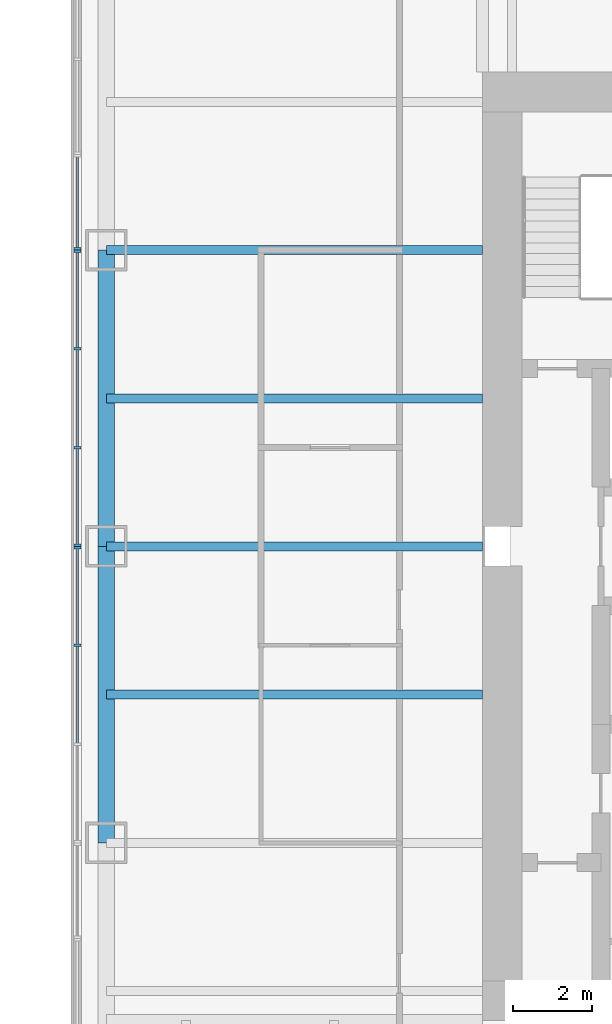
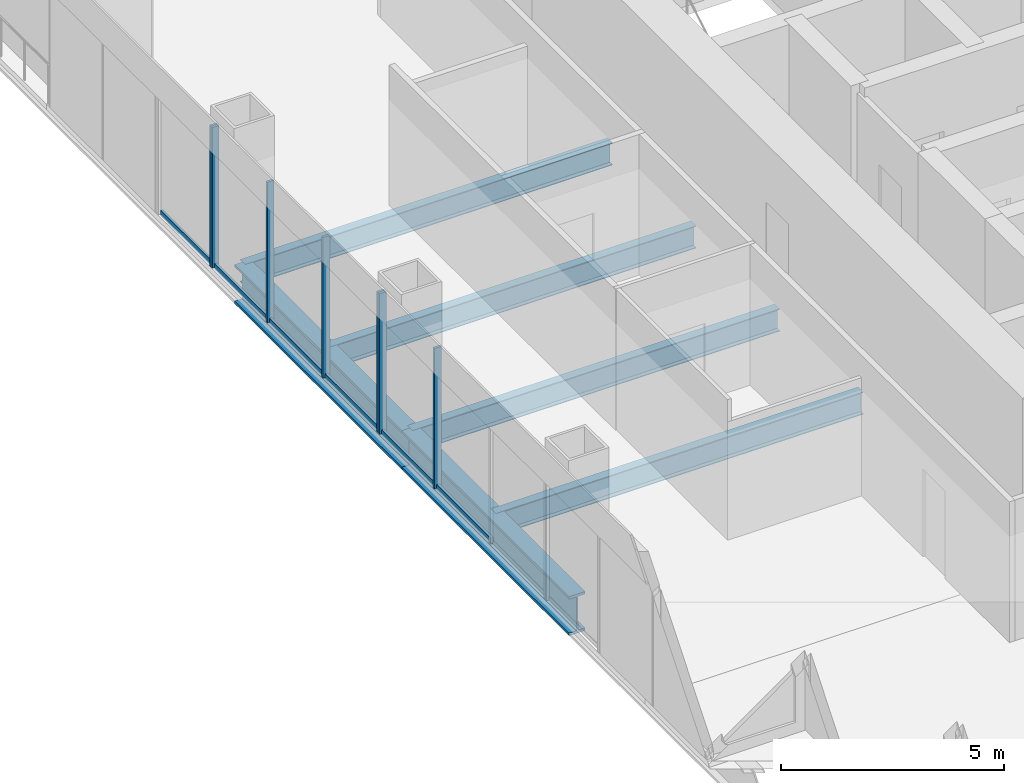
# One storey, part 3 of 13: 13 members, 6 beams, 3 elements without a shape of their own.
"""IFC4 building model written with IfcOpenShell, lengths in metres."""

import ifcopenshell
import ifcopenshell.guid

model = None  # the IFC model being written
_history = None  # IfcOwnerHistory: only IFC2X3 demands one
_inside = {}  # id of a spatial element -> (the spatial element, [elements in it])
_under = {}  # id of a project, library or spatial element -> (it, [spatial elements below it])
_declared = {}  # id of a project -> (the project, [libraries it declares])
_typed = {}  # id of a type object -> (the type object, [elements of that type])
_made_of = {}  # id of a material, layer set ... -> (it, [elements and type objects made of it])


def new_model(schema):
    """Start an empty IFC model of exactly this schema.

    Asked for "IFC4X3", IfcOpenShell would pick the latest addendum, in which some entities
    have other attributes; the version numbers below select the first issue.
    IFC2X3 requires an IfcOwnerHistory on every rooted entity: one is made here for all.
    """
    global model, _history
    if schema == "IFC4X3":
        model = ifcopenshell.file(schema_version=(4, 3, 0, 0))
    else:
        model = ifcopenshell.file(schema=schema)
    _inside.clear()
    _under.clear()
    _declared.clear()
    _typed.clear()
    _made_of.clear()
    _history = None
    if model.schema == "IFC2X3":
        org = make("IfcOrganization", Name="unknown")
        user = make(
            "IfcPersonAndOrganization",
            ThePerson=make("IfcPerson", FamilyName="unknown"),
            TheOrganization=org,
        )
        app = make(
            "IfcApplication",
            ApplicationDeveloper=org,
            Version="unknown",
            ApplicationFullName="unknown",
            ApplicationIdentifier="unknown",
        )
        _history = make(
            "IfcOwnerHistory",
            OwningUser=user,
            OwningApplication=app,
            ChangeAction="ADDED",
            CreationDate=0,
        )
    return model


def make(cls, **values):
    """One entity of the class cls with the attributes given. An attribute that is None is left unset."""
    return model.create_entity(
        cls, **{name: value for name, value in values.items() if value is not None}
    )


def rooted(cls, **values):
    """An entity with a GlobalId (a new one), such as an element, a storey or a relation."""
    return make(cls, GlobalId=ifcopenshell.guid.new(), OwnerHistory=_history, **values)


def si_unit(unit_type, name, prefix=None):
    """IfcSIUnit, for example si_unit("LENGTHUNIT", "METRE", prefix="MILLI")."""
    return make("IfcSIUnit", UnitType=unit_type, Prefix=prefix, Name=name)


def assignment(units):
    """IfcUnitAssignment: the units of a project."""
    return None if units is None else make("IfcUnitAssignment", Units=units)


def point(xyz):
    """IfcCartesianPoint."""
    return None if xyz is None else make("IfcCartesianPoint", Coordinates=xyz)


def direction(xyz):
    """IfcDirection."""
    return None if xyz is None else make("IfcDirection", DirectionRatios=xyz)


def frame(location, z_axis=None, x_axis=None):
    """IfcAxis2Placement3D, a coordinate frame: its origin and axes. An axis left out is left unset."""
    return make(
        "IfcAxis2Placement3D",
        Location=point(location),
        Axis=direction(z_axis),
        RefDirection=direction(x_axis),
    )


def frame_2d(location, x_axis=None):
    """IfcAxis2Placement2D, a coordinate frame in the plane: its origin and x axis."""
    return make(
        "IfcAxis2Placement2D", Location=point(location), RefDirection=direction(x_axis)
    )


def origin():
    """The frame at (0, 0, 0) with its axes left unset."""
    return frame((0.0, 0.0, 0.0))


def origin_2d():
    """The frame at (0, 0) in the plane with its x axis left unset."""
    return frame_2d((0.0, 0.0))


def place(relative_to, where):
    """IfcLocalPlacement: puts the frame where relative to a parent placement (None: the world)."""
    return make(
        "IfcLocalPlacement", PlacementRelTo=relative_to, RelativePlacement=where
    )


def context(
    kind, dimensions, precision=None, world=None, true_north=None, identifier=None
):
    """IfcGeometricRepresentationContext, for example the 3D "Model" context."""
    return make(
        "IfcGeometricRepresentationContext",
        ContextIdentifier=identifier,
        ContextType=kind,
        CoordinateSpaceDimension=dimensions,
        Precision=precision,
        WorldCoordinateSystem=world,
        TrueNorth=true_north,
    )


def subcontext(parent, identifier, kind, view, scale=None):
    """IfcGeometricRepresentationSubContext, for example "Body" below "Model"."""
    return make(
        "IfcGeometricRepresentationSubContext",
        ContextIdentifier=identifier,
        ContextType=kind,
        ParentContext=parent,
        TargetScale=scale,
        TargetView=view,
    )


def project(units=None, contexts=None):
    """IfcProject with its units and contexts."""
    return rooted(
        "IfcProject",
        Name="project",
        RepresentationContexts=contexts,
        UnitsInContext=assignment(units),
    )


def spatial(cls, under=None, at=None, **own):
    """A site, building, storey or space (cls), placed at a placement, below another one or the project."""
    s = rooted(cls, ObjectPlacement=at, **own)
    if under is not None:
        _under.setdefault(under.id(), (under, []))[1].append(s)
    return s


def profile(cls, at=None, kind="AREA", **sizes):
    """A parametric profile (cls). Its sizes go by their IFC names, for example OverallWidth=200.0."""
    return make(cls, ProfileType=kind, Position=at, **sizes)


def rectangle(**sizes):
    """IfcRectangleProfileDef."""
    return profile("IfcRectangleProfileDef", **sizes)


def i_section(**sizes):
    """IfcIShapeProfileDef."""
    return profile("IfcIShapeProfileDef", **sizes)


def extrude(swept, where, along, depth):
    """IfcExtrudedAreaSolid: the profile swept, set in the frame where, extruded along a direction by depth."""
    return make(
        "IfcExtrudedAreaSolid",
        SweptArea=swept,
        Position=where,
        ExtrudedDirection=direction(along),
        Depth=depth,
    )


def shape(context_of_items, identifier, shape_type, items):
    """IfcShapeRepresentation: the items that make up one representation, for example the "Body"."""
    return make(
        "IfcShapeRepresentation",
        ContextOfItems=context_of_items,
        RepresentationIdentifier=identifier,
        RepresentationType=shape_type,
        Items=items,
    )


def material(Name=None, Category=None):
    """IfcMaterial."""
    return make("IfcMaterial", Name=Name, Category=Category)


def material_profile(
    of_material, cross_section, Name=None, Category=None, Priority=None
):
    """IfcMaterialProfile: a cross section and its material."""
    return make(
        "IfcMaterialProfile",
        Name=Name,
        Material=of_material,
        Profile=cross_section,
        Priority=Priority,
        Category=Category,
    )


def profile_set(profiles, Name=None, composite=None):
    """IfcMaterialProfileSet."""
    return make(
        "IfcMaterialProfileSet",
        Name=Name,
        MaterialProfiles=profiles,
        CompositeProfile=composite,
    )


def made_of(thing, what):
    """Note that an element or type object is made of a material, layer set ...; save() writes the relation."""
    if what is not None:
        _made_of.setdefault(what.id(), (what, []))[1].append(thing)
    return thing


def type_object(cls, material=None, **own):
    """A type object (cls), such as IfcWallType, which elements share."""
    return made_of(rooted(cls, **own), material)


def element(
    cls,
    number,
    at=None,
    inside=None,
    cuts=None,
    type_object=None,
    material=None,
    context=None,
    identifier="Body",
    shape_type=None,
    held_by="IfcProductDefinitionShape",
    body=None,
    shapes=None,
    **own,
):
    """One element of the class cls, such as IfcWall. Its Tag is "e" and its number.

    at: its placement. inside: the storey or other place that contains it. cuts: it is an
    opening in that element (IfcRelVoidsElement). A single representation is given by context,
    identifier, shape_type and body (its items); several are given by shapes. held_by: the class
    of the entity that holds the representations. save() writes the other relations.
    """
    e = rooted(cls, Tag="e%d" % number, ObjectPlacement=at, **own)
    if body is not None:
        shapes = [shape(context, identifier, shape_type, body)]
    if shapes is not None:
        e.Representation = make(held_by, Representations=shapes)
    if inside is not None:
        _inside.setdefault(inside.id(), (inside, []))[1].append(e)
    if cuts is not None:
        rooted(
            "IfcRelVoidsElement", RelatingBuildingElement=cuts, RelatedOpeningElement=e
        )
    if type_object is not None:
        _typed.setdefault(type_object.id(), (type_object, []))[1].append(e)
    return made_of(e, material)


def aggregate(whole, parts):
    """IfcRelAggregates: a whole, such as a stair, and the parts it consists of."""
    return rooted("IfcRelAggregates", RelatingObject=whole, RelatedObjects=parts)


def save(model, path):
    """Write the relations noted so far, then the file.

    IfcRelAggregates (storeys below a building ...), IfcRelContainedInSpatialStructure (elements
    in a storey), IfcRelDefinesByType, IfcRelAssociatesMaterial and IfcRelDeclares: one each for
    every whole, place, type object, material and project.
    """
    for whole, parts in _under.values():
        aggregate(whole, parts)
    for where, things in _inside.values():
        rooted(
            "IfcRelContainedInSpatialStructure",
            RelatedElements=things,
            RelatingStructure=where,
        )
    for kind, things in _typed.values():
        rooted("IfcRelDefinesByType", RelatedObjects=things, RelatingType=kind)
    for what, things in _made_of.values():
        rooted("IfcRelAssociatesMaterial", RelatedObjects=things, RelatingMaterial=what)
    for by, libraries in _declared.values():
        rooted("IfcRelDeclares", RelatingContext=by, RelatedDefinitions=libraries)
    model.write(path)


model = new_model("IFC4")

# Units and contexts
model_context = context("Model", 3, precision=1e-05, world=origin(), true_north=direction((0.0, 1.0)))
body_context = subcontext(model_context, "Body", "Model", "MODEL_VIEW")
ifc_project = project(units=[si_unit("LENGTHUNIT", "METRE"), si_unit("AREAUNIT", "SQUARE_METRE"), si_unit("VOLUMEUNIT", "CUBIC_METRE"), si_unit("PLANEANGLEUNIT", "RADIAN"), si_unit("MASSUNIT", "GRAM", prefix="KILO")], contexts=[model_context])

# Site, building, storey
site_placement = place(None, origin())
site = spatial("IfcSite", under=ifc_project, at=site_placement, CompositionType="ELEMENT")
building_placement = place(site_placement, origin())
building = spatial("IfcBuilding", under=site, at=building_placement, Name="Tarangal Relay Tower", CompositionType="ELEMENT")
storey_placement = place(building_placement, frame((0.0, 0.0, 205.89990234375)))
storey = spatial("IfcBuildingStorey", under=building, at=storey_placement, Name="L43", CompositionType="ELEMENT", Elevation=205.89990234375)

# Beams
ifc_material_1 = material(Name="Steel ASTM A992", Category="steel")
ifc_material_profile_1 = material_profile(ifc_material_1, i_section(OverallWidth=0.41650390625, OverallDepth=1.0693359375, WebThickness=0.0390625, FlangeThickness=0.070068359375, at=origin_2d()), Name="W40X503")
ifc_profile_set_1 = profile_set([ifc_material_profile_1], Name="Steel ASTM A992")
beam_type_1 = type_object("IfcBeamType", Name="Edge girder W40X503", PredefinedType="SPANDREL", material=ifc_profile_set_1)
for number, where, z_axis, x_axis, name in (
    (1, (-21.514892578125, -7.5, -0.6845703125), (0.0, 1.0, 0.0), (-1.0, 0.0, 0.0), "Edge girder EG8 W L43"),
    (2, (-21.514892578125, 0.0, -0.6845703125), (0.0, 1.0, 0.0), (-1.0, 0.0, 0.0), "Edge girder EG8 W L43"),
):
    element("IfcBeam", number, at=place(storey_placement, frame(where, z_axis=z_axis, x_axis=x_axis)), inside=storey, type_object=beam_type_1, Name=name, PredefinedType="SPANDREL", context=body_context, shape_type="SweptSolid", body=[
        extrude(i_section(OverallWidth=0.41650390625, OverallDepth=1.0693359375, WebThickness=0.0390625, FlangeThickness=0.070068359375, at=origin_2d()), origin(), (0.0, 0.0, 1.0), 7.5),
    ])
ifc_material_profile_2 = material_profile(ifc_material_1, i_section(OverallWidth=0.22900390625, OverallDepth=0.612060546875, WebThickness=0.011962890625, FlangeThickness=0.01953125, at=origin_2d()), Name="W24X84")
ifc_profile_set_2 = profile_set([ifc_material_profile_2], Name="Steel ASTM A992")
beam_type_2 = type_object("IfcBeamType", Name="Floor beam W24X84", PredefinedType="BEAM", material=ifc_profile_set_2)
for number, where, z_axis, x_axis, name in (
    (3, (-12.0, -3.75, -0.455810546875), (-1.0, 0.0, 0.0), (0.0, -1.0, 0.0), "Floor beam RB12 W L43"),
    (4, (-12.0, 0.0, -0.455810546875), (-1.0, 0.0, 0.0), (0.0, -1.0, 0.0), "Floor beam RB12 W L43"),
    (5, (-12.0, 3.75, -0.455810546875), (-1.0, 0.0, 0.0), (0.0, -1.0, 0.0), "Floor beam RB12 W L43"),
    (6, (-12.0, 7.5, -0.455810546875), (-1.0, 0.0, 0.0), (0.0, -1.0, 0.0), "Floor beam RB12 W L43"),
):
    element("IfcBeam", number, at=place(storey_placement, frame(where, z_axis=z_axis, x_axis=x_axis)), inside=storey, type_object=beam_type_2, Name=name, PredefinedType="BEAM", context=body_context, shape_type="SweptSolid", body=[
        extrude(i_section(OverallWidth=0.22900390625, OverallDepth=0.612060546875, WebThickness=0.011962890625, FlangeThickness=0.01953125, at=origin_2d()), origin(), (0.0, 0.0, 1.0), 9.514892578125),
    ])

# Curtain wall, members
ifc_material_2 = material(Name="Unitised curtain wall, dark glass and black aluminium", Category="aluminium")
curtain_wall_type = type_object("IfcCurtainWallType", Name="Curtain wall CW-A", PredefinedType="USERDEFINED", material=ifc_material_2)
curtain_wall_1_placement = place(storey_placement, origin())
curtain_wall_1 = element("IfcCurtainWall", 7, at=curtain_wall_1_placement, inside=storey, type_object=curtain_wall_type, Name="Curtain wall CW-A W facade L43", ObjectType="UNITISED CURTAIN WALL", PredefinedType="USERDEFINED")
ifc_material_3 = material(Name="Black anodised aluminium mullion", Category="aluminium")
ifc_material_profile_3 = material_profile(ifc_material_3, rectangle(XDim=0.175048828125, YDim=0.06494140625, at=origin_2d()), Name="CW-AM 65X175")
ifc_profile_set_3 = profile_set([ifc_material_profile_3], Name="Black anodised aluminium mullion")
member_type_1 = type_object("IfcMemberType", Name="Mullion CW-A 65 x 175", PredefinedType="MULLION", material=ifc_profile_set_3)
member_1_placement = place(storey_placement, frame((-22.25, -2.5, 0.0), z_axis=(0.0, 0.0, 1.0), x_axis=(-1.0, 0.0, 0.0)))
member_1 = element("IfcMember", 8, at=member_1_placement, type_object=member_type_1, Name="CW-A mullion 3", PredefinedType="MULLION", context=body_context, shape_type="SweptSolid", body=[
    extrude(rectangle(XDim=0.175048828125, YDim=0.06494140625, at=origin_2d()), origin(), (0.0, 0.0, 1.0), 3.85009765625),
])
member_2_placement = place(storey_placement, frame((-22.25, -0.032470703125, 0.0), z_axis=(0.0, 0.0, 1.0), x_axis=(-1.0, 0.0, 0.0)))
member_2 = element("IfcMember", 9, at=member_2_placement, type_object=member_type_1, Name="CW-A mullion 4", PredefinedType="MULLION", context=body_context, shape_type="SweptSolid", body=[
    extrude(rectangle(XDim=0.175048828125, YDim=0.06494140625, at=origin_2d()), origin(), (0.0, 0.0, 1.0), 3.85009765625),
])

curtain_wall_2_placement = place(storey_placement, origin())
curtain_wall_2 = element("IfcCurtainWall", 10, at=curtain_wall_2_placement, inside=storey, type_object=curtain_wall_type, Name="Curtain wall CW-A W facade L43", ObjectType="UNITISED CURTAIN WALL", PredefinedType="USERDEFINED")
member_3_placement = place(storey_placement, frame((-22.25, 0.032470703125, 0.0), z_axis=(0.0, 0.0, 1.0), x_axis=(-1.0, 0.0, 0.0)))
member_3 = element("IfcMember", 11, at=member_3_placement, type_object=member_type_1, Name="CW-A mullion 1", PredefinedType="MULLION", context=body_context, shape_type="SweptSolid", body=[
    extrude(rectangle(XDim=0.175048828125, YDim=0.06494140625, at=origin_2d()), origin(), (0.0, 0.0, 1.0), 3.85009765625),
])
member_4_placement = place(storey_placement, frame((-22.25, 2.5, 0.0), z_axis=(0.0, 0.0, 1.0), x_axis=(-1.0, 0.0, 0.0)))
member_4 = element("IfcMember", 12, at=member_4_placement, type_object=member_type_1, Name="CW-A mullion 2", PredefinedType="MULLION", context=body_context, shape_type="SweptSolid", body=[
    extrude(rectangle(XDim=0.175048828125, YDim=0.06494140625, at=origin_2d()), origin(), (0.0, 0.0, 1.0), 3.85009765625),
])
member_5_placement = place(storey_placement, frame((-22.25, 5.0, 0.0), z_axis=(0.0, 0.0, 1.0), x_axis=(-1.0, 0.0, 0.0)))
member_5 = element("IfcMember", 13, at=member_5_placement, type_object=member_type_1, Name="CW-A mullion 3", PredefinedType="MULLION", context=body_context, shape_type="SweptSolid", body=[
    extrude(rectangle(XDim=0.175048828125, YDim=0.06494140625, at=origin_2d()), origin(), (0.0, 0.0, 1.0), 3.85009765625),
])
member_6_placement = place(storey_placement, frame((-22.25, 7.467529296875, 0.0), z_axis=(0.0, 0.0, 1.0), x_axis=(-1.0, 0.0, 0.0)))
member_6 = element("IfcMember", 14, at=member_6_placement, type_object=member_type_1, Name="CW-A mullion 4", PredefinedType="MULLION", context=body_context, shape_type="SweptSolid", body=[
    extrude(rectangle(XDim=0.175048828125, YDim=0.06494140625, at=origin_2d()), origin(), (0.0, 0.0, 1.0), 3.85009765625),
])

# Curtain wall, member
curtain_wall_3_placement = place(storey_placement, origin())
curtain_wall_3 = element("IfcCurtainWall", 15, at=curtain_wall_3_placement, inside=storey, type_object=curtain_wall_type, Name="Curtain wall CW-A W facade L43", ObjectType="UNITISED CURTAIN WALL", PredefinedType="USERDEFINED")
member_7_placement = place(storey_placement, frame((-22.25, 7.532470703125, 0.0), z_axis=(0.0, 0.0, 1.0), x_axis=(-1.0, 0.0, 0.0)))
member_7 = element("IfcMember", 16, at=member_7_placement, type_object=member_type_1, Name="CW-A mullion 1", PredefinedType="MULLION", context=body_context, shape_type="SweptSolid", body=[
    extrude(rectangle(XDim=0.175048828125, YDim=0.06494140625, at=origin_2d()), origin(), (0.0, 0.0, 1.0), 3.85009765625),
])

# Member
ifc_material_4 = material(Name="Black anodised aluminium transom", Category="aluminium")
ifc_material_profile_4 = material_profile(ifc_material_4, rectangle(XDim=0.06494140625, YDim=0.14990234375, at=origin_2d()), Name="CW-AT 65X150")
ifc_profile_set_4 = profile_set([ifc_material_profile_4], Name="Black anodised aluminium transom")
member_type_2 = type_object("IfcMemberType", Name="Transom CW-A 65 x 150", PredefinedType="USERDEFINED", material=ifc_profile_set_4)
member_8_placement = place(storey_placement, frame((-22.25, -4.967529296875, 0.03271484375), z_axis=(0.0, 1.0, 0.0), x_axis=(-1.0, 0.0, 0.0)))
member_8 = element("IfcMember", 17, at=member_8_placement, type_object=member_type_2, Name="CW-A transom 2.1", ObjectType="TRANSOM", PredefinedType="USERDEFINED", context=body_context, shape_type="SweptSolid", body=[
    extrude(rectangle(XDim=0.06494140625, YDim=0.14990234375, at=origin_2d()), origin(), (0.0, 0.0, 1.0), 2.43505859375),
])

member_9_placement = place(storey_placement, frame((-22.25, -2.467529296875, 0.03271484375), z_axis=(0.0, 1.0, 0.0), x_axis=(-1.0, 0.0, 0.0)))
member_9 = element("IfcMember", 18, at=member_9_placement, type_object=member_type_2, Name="CW-A transom 3.1", ObjectType="TRANSOM", PredefinedType="USERDEFINED", context=body_context, shape_type="SweptSolid", body=[
    extrude(rectangle(XDim=0.06494140625, YDim=0.14990234375, at=origin_2d()), origin(), (0.0, 0.0, 1.0), 2.402587890625),
])

aggregate(curtain_wall_1, [member_1, member_2, member_8, member_9])

member_10_placement = place(storey_placement, frame((-22.25, 0.06494140625, 0.03271484375), z_axis=(0.0, 1.0, 0.0), x_axis=(-1.0, 0.0, 0.0)))
member_10 = element("IfcMember", 19, at=member_10_placement, type_object=member_type_2, Name="CW-A transom 1.1", ObjectType="TRANSOM", PredefinedType="USERDEFINED", context=body_context, shape_type="SweptSolid", body=[
    extrude(rectangle(XDim=0.06494140625, YDim=0.14990234375, at=origin_2d()), origin(), (0.0, 0.0, 1.0), 2.402587890625),
])

member_11_placement = place(storey_placement, frame((-22.25, 2.532470703125, 0.03271484375), z_axis=(0.0, 1.0, 0.0), x_axis=(-1.0, 0.0, 0.0)))
member_11 = element("IfcMember", 20, at=member_11_placement, type_object=member_type_2, Name="CW-A transom 2.1", ObjectType="TRANSOM", PredefinedType="USERDEFINED", context=body_context, shape_type="SweptSolid", body=[
    extrude(rectangle(XDim=0.06494140625, YDim=0.14990234375, at=origin_2d()), origin(), (0.0, 0.0, 1.0), 2.43505859375),
])

member_12_placement = place(storey_placement, frame((-22.25, 5.032470703125, 0.03271484375), z_axis=(0.0, 1.0, 0.0), x_axis=(-1.0, 0.0, 0.0)))
member_12 = element("IfcMember", 21, at=member_12_placement, type_object=member_type_2, Name="CW-A transom 3.1", ObjectType="TRANSOM", PredefinedType="USERDEFINED", context=body_context, shape_type="SweptSolid", body=[
    extrude(rectangle(XDim=0.06494140625, YDim=0.14990234375, at=origin_2d()), origin(), (0.0, 0.0, 1.0), 2.402587890625),
])

aggregate(curtain_wall_2, [member_3, member_4, member_5, member_6, member_10, member_11, member_12])

member_13_placement = place(storey_placement, frame((-22.25, 7.56494140625, 0.03271484375), z_axis=(0.0, 1.0, 0.0), x_axis=(-1.0, 0.0, 0.0)))
member_13 = element("IfcMember", 22, at=member_13_placement, type_object=member_type_2, Name="CW-A transom 1.1", ObjectType="TRANSOM", PredefinedType="USERDEFINED", context=body_context, shape_type="SweptSolid", body=[
    extrude(rectangle(XDim=0.06494140625, YDim=0.14990234375, at=origin_2d()), origin(), (0.0, 0.0, 1.0), 2.286865234375),
])

aggregate(curtain_wall_3, [member_7, member_13])

save(model, "model.ifc")
